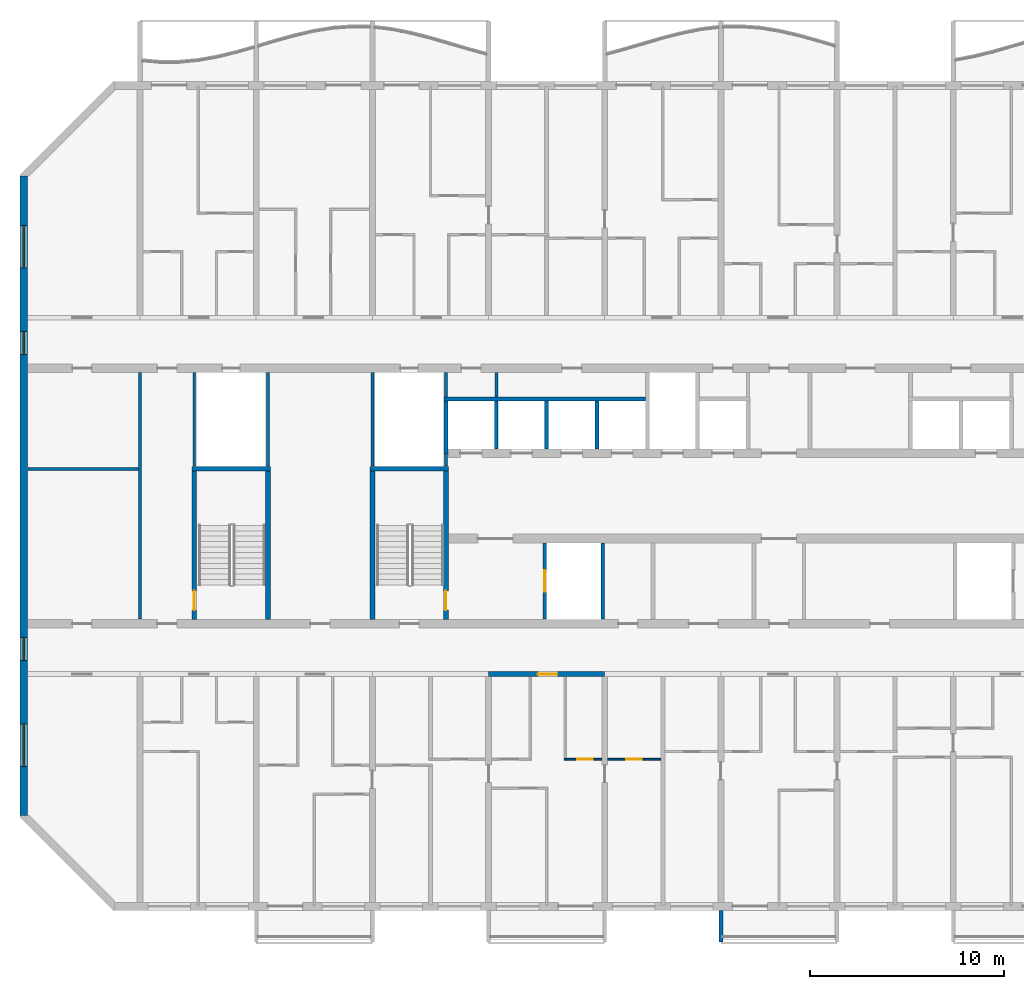
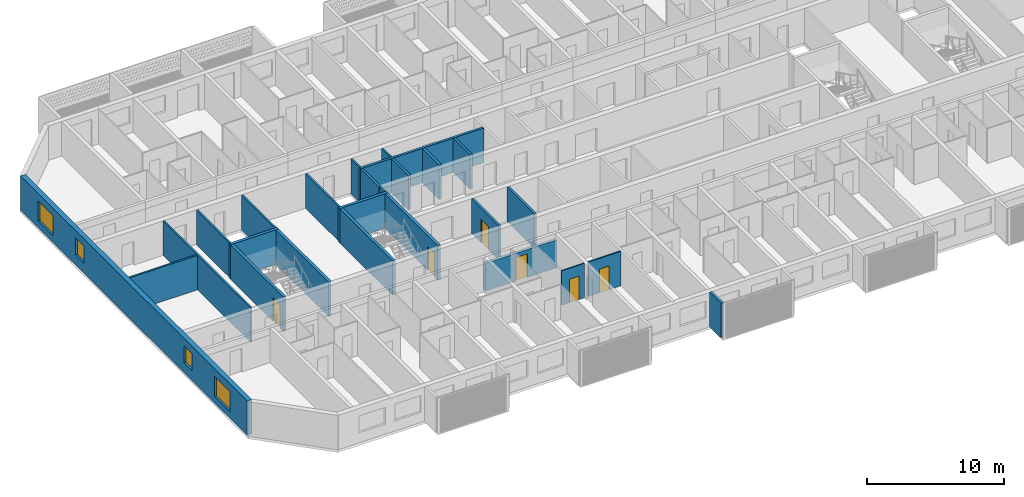
# One storey, part 3 of 32: 26 walls, 6 doors, 4 windows, 10 openings.
"""IFC4 building model written with IfcOpenShell, lengths in metres."""

import ifcopenshell
import ifcopenshell.guid

model = None  # the IFC model being written
_history = None  # IfcOwnerHistory: only IFC2X3 demands one
_inside = {}  # id of a spatial element -> (the spatial element, [elements in it])
_under = {}  # id of a project, library or spatial element -> (it, [spatial elements below it])
_declared = {}  # id of a project -> (the project, [libraries it declares])
_typed = {}  # id of a type object -> (the type object, [elements of that type])
_made_of = {}  # id of a material, layer set ... -> (it, [elements and type objects made of it])


def new_model(schema):
    """Start an empty IFC model of exactly this schema.

    Asked for "IFC4X3", IfcOpenShell would pick the latest addendum, in which some entities
    have other attributes; the version numbers below select the first issue.
    IFC2X3 requires an IfcOwnerHistory on every rooted entity: one is made here for all.
    """
    global model, _history
    if schema == "IFC4X3":
        model = ifcopenshell.file(schema_version=(4, 3, 0, 0))
    else:
        model = ifcopenshell.file(schema=schema)
    _inside.clear()
    _under.clear()
    _declared.clear()
    _typed.clear()
    _made_of.clear()
    _history = None
    if model.schema == "IFC2X3":
        org = make("IfcOrganization", Name="unknown")
        user = make(
            "IfcPersonAndOrganization",
            ThePerson=make("IfcPerson", FamilyName="unknown"),
            TheOrganization=org,
        )
        app = make(
            "IfcApplication",
            ApplicationDeveloper=org,
            Version="unknown",
            ApplicationFullName="unknown",
            ApplicationIdentifier="unknown",
        )
        _history = make(
            "IfcOwnerHistory",
            OwningUser=user,
            OwningApplication=app,
            ChangeAction="ADDED",
            CreationDate=0,
        )
    return model


def make(cls, **values):
    """One entity of the class cls with the attributes given. An attribute that is None is left unset."""
    return model.create_entity(
        cls, **{name: value for name, value in values.items() if value is not None}
    )


def rooted(cls, **values):
    """An entity with a GlobalId (a new one), such as an element, a storey or a relation."""
    return make(cls, GlobalId=ifcopenshell.guid.new(), OwnerHistory=_history, **values)


def si_unit(unit_type, name, prefix=None):
    """IfcSIUnit, for example si_unit("LENGTHUNIT", "METRE", prefix="MILLI")."""
    return make("IfcSIUnit", UnitType=unit_type, Prefix=prefix, Name=name)


def assignment(units):
    """IfcUnitAssignment: the units of a project."""
    return None if units is None else make("IfcUnitAssignment", Units=units)


def point(xyz):
    """IfcCartesianPoint."""
    return None if xyz is None else make("IfcCartesianPoint", Coordinates=xyz)


def direction(xyz):
    """IfcDirection."""
    return None if xyz is None else make("IfcDirection", DirectionRatios=xyz)


def frame(location, z_axis=None, x_axis=None):
    """IfcAxis2Placement3D, a coordinate frame: its origin and axes. An axis left out is left unset."""
    return make(
        "IfcAxis2Placement3D",
        Location=point(location),
        Axis=direction(z_axis),
        RefDirection=direction(x_axis),
    )


def frame_2d(location, x_axis=None):
    """IfcAxis2Placement2D, a coordinate frame in the plane: its origin and x axis."""
    return make(
        "IfcAxis2Placement2D", Location=point(location), RefDirection=direction(x_axis)
    )


def origin():
    """The frame at (0, 0, 0) with its axes left unset."""
    return frame((0.0, 0.0, 0.0))


def place(relative_to, where):
    """IfcLocalPlacement: puts the frame where relative to a parent placement (None: the world)."""
    return make(
        "IfcLocalPlacement", PlacementRelTo=relative_to, RelativePlacement=where
    )


def context(
    kind, dimensions, precision=None, world=None, true_north=None, identifier=None
):
    """IfcGeometricRepresentationContext, for example the 3D "Model" context."""
    return make(
        "IfcGeometricRepresentationContext",
        ContextIdentifier=identifier,
        ContextType=kind,
        CoordinateSpaceDimension=dimensions,
        Precision=precision,
        WorldCoordinateSystem=world,
        TrueNorth=true_north,
    )


def subcontext(parent, identifier, kind, view, scale=None):
    """IfcGeometricRepresentationSubContext, for example "Body" below "Model"."""
    return make(
        "IfcGeometricRepresentationSubContext",
        ContextIdentifier=identifier,
        ContextType=kind,
        ParentContext=parent,
        TargetScale=scale,
        TargetView=view,
    )


def project(units=None, contexts=None):
    """IfcProject with its units and contexts."""
    return rooted(
        "IfcProject",
        Name="project",
        RepresentationContexts=contexts,
        UnitsInContext=assignment(units),
    )


def spatial(cls, under=None, at=None, **own):
    """A site, building, storey or space (cls), placed at a placement, below another one or the project."""
    s = rooted(cls, ObjectPlacement=at, **own)
    if under is not None:
        _under.setdefault(under.id(), (under, []))[1].append(s)
    return s


def polyline(points):
    """IfcPolyline through the points."""
    return make("IfcPolyline", Points=[point(p) for p in points])


def profile(cls, at=None, kind="AREA", **sizes):
    """A parametric profile (cls). Its sizes go by their IFC names, for example OverallWidth=200.0."""
    return make(cls, ProfileType=kind, Position=at, **sizes)


def rectangle(**sizes):
    """IfcRectangleProfileDef."""
    return profile("IfcRectangleProfileDef", **sizes)


def outline(outer, holes=None, kind="AREA"):
    """IfcArbitraryClosedProfileDef: a profile drawn as a closed curve; with holes, ...WithVoids."""
    if holes is None:
        return make("IfcArbitraryClosedProfileDef", ProfileType=kind, OuterCurve=outer)
    return make(
        "IfcArbitraryProfileDefWithVoids",
        ProfileType=kind,
        OuterCurve=outer,
        InnerCurves=holes,
    )


def extrude(swept, where, along, depth):
    """IfcExtrudedAreaSolid: the profile swept, set in the frame where, extruded along a direction by depth."""
    return make(
        "IfcExtrudedAreaSolid",
        SweptArea=swept,
        Position=where,
        ExtrudedDirection=direction(along),
        Depth=depth,
    )


def shape(context_of_items, identifier, shape_type, items):
    """IfcShapeRepresentation: the items that make up one representation, for example the "Body"."""
    return make(
        "IfcShapeRepresentation",
        ContextOfItems=context_of_items,
        RepresentationIdentifier=identifier,
        RepresentationType=shape_type,
        Items=items,
    )


def source(mapping_origin, context_of_items, identifier, shape_type, items):
    """IfcRepresentationMap: a shape defined once, which mapped items show again and again."""
    return make(
        "IfcRepresentationMap",
        MappingOrigin=mapping_origin,
        MappedRepresentation=shape(context_of_items, identifier, shape_type, items),
    )


def transform(
    local_origin,
    x_axis=None,
    y_axis=None,
    z_axis=None,
    scale=None,
    scale2=None,
    scale3=None,
    uniform=True,
):
    """IfcCartesianTransformationOperator3D, or its non-uniform kind. x_axis, y_axis, z_axis: its Axis1, 2, 3."""
    if uniform:
        return make(
            "IfcCartesianTransformationOperator3D",
            Axis1=direction(x_axis),
            Axis2=direction(y_axis),
            LocalOrigin=point(local_origin),
            Scale=scale,
            Axis3=direction(z_axis),
        )
    return make(
        "IfcCartesianTransformationOperator3DnonUniform",
        Axis1=direction(x_axis),
        Axis2=direction(y_axis),
        LocalOrigin=point(local_origin),
        Scale=scale,
        Axis3=direction(z_axis),
        Scale2=scale2,
        Scale3=scale3,
    )


def mapped(mapping_source, mapping_target):
    """IfcMappedItem: shows the shape of a source again, moved by a transform."""
    return make(
        "IfcMappedItem", MappingSource=mapping_source, MappingTarget=mapping_target
    )


def material(Name=None, Category=None):
    """IfcMaterial."""
    return make("IfcMaterial", Name=Name, Category=Category)


def layer(
    of_material, thickness, ventilated=None, Name=None, Category=None, Priority=None
):
    """IfcMaterialLayer: one layer of a wall or slab, of a material (None: an air gap)."""
    return make(
        "IfcMaterialLayer",
        Material=of_material,
        LayerThickness=thickness,
        IsVentilated=ventilated,
        Name=Name,
        Category=Category,
        Priority=Priority,
    )


def layer_set(layers, Name=None):
    """IfcMaterialLayerSet."""
    return make("IfcMaterialLayerSet", MaterialLayers=layers, LayerSetName=Name)


def made_of(thing, what):
    """Note that an element or type object is made of a material, layer set ...; save() writes the relation."""
    if what is not None:
        _made_of.setdefault(what.id(), (what, []))[1].append(thing)
    return thing


def type_object(cls, material=None, **own):
    """A type object (cls), such as IfcWallType, which elements share."""
    return made_of(rooted(cls, **own), material)


def element(
    cls,
    number,
    at=None,
    inside=None,
    cuts=None,
    type_object=None,
    material=None,
    context=None,
    identifier="Body",
    shape_type=None,
    held_by="IfcProductDefinitionShape",
    body=None,
    shapes=None,
    **own,
):
    """One element of the class cls, such as IfcWall. Its Tag is "e" and its number.

    at: its placement. inside: the storey or other place that contains it. cuts: it is an
    opening in that element (IfcRelVoidsElement). A single representation is given by context,
    identifier, shape_type and body (its items); several are given by shapes. held_by: the class
    of the entity that holds the representations. save() writes the other relations.
    """
    e = rooted(cls, Tag="e%d" % number, ObjectPlacement=at, **own)
    if body is not None:
        shapes = [shape(context, identifier, shape_type, body)]
    if shapes is not None:
        e.Representation = make(held_by, Representations=shapes)
    if inside is not None:
        _inside.setdefault(inside.id(), (inside, []))[1].append(e)
    if cuts is not None:
        rooted(
            "IfcRelVoidsElement", RelatingBuildingElement=cuts, RelatedOpeningElement=e
        )
    if type_object is not None:
        _typed.setdefault(type_object.id(), (type_object, []))[1].append(e)
    return made_of(e, material)


def fill(opening, filler):
    """IfcRelFillsElement: the door or window that sits in an opening."""
    return rooted(
        "IfcRelFillsElement",
        RelatingOpeningElement=opening,
        RelatedBuildingElement=filler,
    )


def aggregate(whole, parts):
    """IfcRelAggregates: a whole, such as a stair, and the parts it consists of."""
    return rooted("IfcRelAggregates", RelatingObject=whole, RelatedObjects=parts)


def save(model, path):
    """Write the relations noted so far, then the file.

    IfcRelAggregates (storeys below a building ...), IfcRelContainedInSpatialStructure (elements
    in a storey), IfcRelDefinesByType, IfcRelAssociatesMaterial and IfcRelDeclares: one each for
    every whole, place, type object, material and project.
    """
    for whole, parts in _under.values():
        aggregate(whole, parts)
    for where, things in _inside.values():
        rooted(
            "IfcRelContainedInSpatialStructure",
            RelatedElements=things,
            RelatingStructure=where,
        )
    for kind, things in _typed.values():
        rooted("IfcRelDefinesByType", RelatedObjects=things, RelatingType=kind)
    for what, things in _made_of.values():
        rooted("IfcRelAssociatesMaterial", RelatedObjects=things, RelatingMaterial=what)
    for by, libraries in _declared.values():
        rooted("IfcRelDeclares", RelatingContext=by, RelatedDefinitions=libraries)
    model.write(path)


model = new_model("IFC4")

# Units and contexts
model_context = context("Model", 3, precision=1e-05, world=origin(), true_north=direction((0.0, 1.0)))
body_context = subcontext(model_context, "Body", "Model", "MODEL_VIEW")
ifc_project = project(units=[si_unit("LENGTHUNIT", "METRE"), si_unit("AREAUNIT", "SQUARE_METRE"), si_unit("VOLUMEUNIT", "CUBIC_METRE"), si_unit("PLANEANGLEUNIT", "RADIAN"), si_unit("MASSUNIT", "GRAM", prefix="KILO")], contexts=[model_context])

# Site, building, storey
site_placement = place(None, origin())
site = spatial("IfcSite", under=ifc_project, at=site_placement, CompositionType="ELEMENT")
building_placement = place(site_placement, origin())
building = spatial("IfcBuilding", under=site, at=building_placement, Name="Poui Terraces", CompositionType="ELEMENT")
storey_placement = place(building_placement, frame((0.0, 0.0, 152.10009765625)))
storey = spatial("IfcBuildingStorey", under=building, at=storey_placement, Name="L42", CompositionType="ELEMENT", Elevation=152.10009765625)

# Wall
ifc_material_1 = material(Name="Fire-rated plasterboard wall")
ifc_layer_1 = layer(ifc_material_1, 0.14990234375)
ifc_layer_set_1 = layer_set([ifc_layer_1], Name="Fire-rated plasterboard wall")
wall_type_1 = type_object("IfcWallType", Name="CORRIDOR WALL 150", PredefinedType="PARTITIONING", material=ifc_layer_set_1)
wall_1_placement = place(storey_placement, frame((18.0, 14.8349609375, 0.0), z_axis=(0.0, 0.0, 1.0), x_axis=(0.0, 1.0, 0.0)))
element("IfcWall", 1, at=wall_1_placement, inside=storey, type_object=wall_type_1, Name="CORRIDOR WALL 150", PredefinedType="PARTITIONING", context=body_context, shape_type="SweptSolid", body=[
    extrude(rectangle(XDim=12.72998046875, YDim=0.14990234375, at=frame_2d((6.364990234375, 0.0))), origin(), (0.0, 0.0, 1.0), 3.06982421875),
])

# Wall, opening, door
ifc_material_2 = material(Name="Concrete 65 MPa", Category="concrete")
ifc_layer_2 = layer(ifc_material_2, 0.25)
ifc_layer_set_2 = layer_set([ifc_layer_2], Name="Concrete 65 MPa")
wall_type_2 = type_object("IfcWallType", Name="CORRIDOR WALL 250 65MPa", PredefinedType="SHEAR", material=ifc_layer_set_2)
wall_2_placement = place(storey_placement, frame((36.0, 12.0, 0.0), z_axis=(0.0, 0.0, 1.0), x_axis=(1.0, 0.0, 0.0)))
wall_2 = element("IfcWall", 2, at=wall_2_placement, inside=storey, type_object=wall_type_2, Name="CORRIDOR WALL LINE B BAY 5", PredefinedType="SHEAR", context=body_context, shape_type="SweptSolid", body=[
    extrude(rectangle(XDim=6.0, YDim=0.25, at=frame_2d((3.0, 0.0))), origin(), (0.0, 0.0, 1.0), 2.469970703125),
])
opening_1_placement = place(wall_2_placement, frame((2.550048828125, 0.0, 0.0)))
opening_1 = element("IfcOpeningElement", 3, at=opening_1_placement, cuts=wall_2, Name="Opening FD30S", PredefinedType="OPENING", context=body_context, shape_type="SweptSolid", body=[
    extrude(rectangle(XDim=1.0, YDim=2.10009765625, at=frame_2d((0.5, 1.050048828125))), frame((0.0, 0.135009765625, 0.0), z_axis=(0.0, -1.0, 0.0), x_axis=(1.0, 0.0, 0.0)), (0.0, 0.0, 1.0), 0.27001953125),
])
ifc_material_3 = material(Name="Steel fire door", Category="steel")
door_type_1 = type_object("IfcDoorType", Name="FLAT ENTRANCE DOOR 1000 X 2100", OperationType="NOTDEFINED", PredefinedType="DOOR", material=ifc_material_3)
door_1_placement = place(opening_1_placement, frame((1.0, 0.0, 0.0), z_axis=(0.0, 0.0, 1.0), x_axis=(-1.0, 0.0, 0.0)))
door_1 = element("IfcDoor", 4, at=door_1_placement, inside=storey, type_object=door_type_1, Name="FLAT ENTRANCE DOOR 090", OperationType="SINGLE_SWING_LEFT", OverallHeight=2.10009765625, OverallWidth=1.0, PredefinedType="DOOR", context=body_context, shape_type="SweptSolid", body=[
    extrude(rectangle(XDim=1.0, YDim=2.10009765625, at=frame_2d((0.5, 1.050048828125))), frame((0.0, 0.02490234375, 0.0), z_axis=(0.0, -1.0, 0.0), x_axis=(1.0, 0.0, 0.0)), (0.0, 0.0, 1.0), 0.050048828125),
])
fill(opening_1, door_1)

# Wall, openings, windows
ifc_layer_3 = layer(ifc_material_2, 0.39990234375)
ifc_layer_set_3 = layer_set([ifc_layer_3], Name="Concrete 65 MPa")
wall_type_3 = type_object("IfcWallType", Name="END WALL 400 65MPa", PredefinedType="SHEAR", material=ifc_layer_set_3)
wall_3_placement = place(storey_placement, frame((12.0, 4.682861328125, 0.0), z_axis=(0.0, 0.0, 1.0), x_axis=(0.0, 1.0, 0.0)))
wall_3 = element("IfcWall", 5, at=wall_3_placement, inside=storey, type_object=wall_type_3, Name="END WALL WEST", PredefinedType="SHEAR", context=body_context, shape_type="SweptSolid", body=[
    extrude(rectangle(XDim=33.034423828125, YDim=0.39990234375, at=frame_2d((16.51708984375, 0.0))), origin(), (0.0, 0.0, 1.0), 3.06982421875),
])
opening_2_placement = place(wall_3_placement, frame((23.817138671875, 0.0, 0.89990234375)))
opening_2 = element("IfcOpeningElement", 6, at=opening_2_placement, cuts=wall_3, Name="Opening W2", PredefinedType="OPENING", context=body_context, shape_type="SweptSolid", body=[
    extrude(rectangle(XDim=1.199951171875, YDim=1.5, at=frame_2d((0.60009765625, 0.75))), frame((0.0, 0.2099609375, 0.0), z_axis=(0.0, -1.0, 0.0), x_axis=(1.0, 0.0, 0.0)), (0.0, 0.0, 1.0), 0.419921875),
])
opening_3_placement = place(wall_3_placement, frame((8.01708984375, 0.0, 0.89990234375)))
opening_3 = element("IfcOpeningElement", 7, at=opening_3_placement, cuts=wall_3, Name="Opening W2", PredefinedType="OPENING", context=body_context, shape_type="SweptSolid", body=[
    extrude(rectangle(XDim=1.199951171875, YDim=1.5, at=frame_2d((0.60009765625, 0.75))), frame((0.0, 0.2099609375, 0.0), z_axis=(0.0, -1.0, 0.0), x_axis=(1.0, 0.0, 0.0)), (0.0, 0.0, 1.0), 0.419921875),
])
opening_4_placement = place(wall_3_placement, frame((28.29345703125, 0.0, 0.60009765625)))
opening_4 = element("IfcOpeningElement", 8, at=opening_4_placement, cuts=wall_3, Name="Opening W3", PredefinedType="OPENING", context=body_context, shape_type="SweptSolid", body=[
    extrude(rectangle(XDim=2.199951171875, YDim=1.800048828125, at=frame_2d((1.10009765625, 0.89990234375))), frame((0.0, 0.2099609375, 0.0), z_axis=(0.0, -1.0, 0.0), x_axis=(1.0, 0.0, 0.0)), (0.0, 0.0, 1.0), 0.419921875),
])
opening_5_placement = place(wall_3_placement, frame((2.541015625, 0.0, 0.60009765625)))
opening_5 = element("IfcOpeningElement", 9, at=opening_5_placement, cuts=wall_3, Name="Opening W3", PredefinedType="OPENING", context=body_context, shape_type="SweptSolid", body=[
    extrude(rectangle(XDim=2.199951171875, YDim=1.800048828125, at=frame_2d((1.10009765625, 0.89990234375))), frame((0.0, 0.2099609375, 0.0), z_axis=(0.0, -1.0, 0.0), x_axis=(1.0, 0.0, 0.0)), (0.0, 0.0, 1.0), 0.419921875),
])
ifc_material_4 = material(Name="Clear glass in aluminium frame", Category="aluminium")
window_type_1 = type_object("IfcWindowType", Name="WINDOW 1200X1500", PartitioningType="SINGLE_PANEL", PredefinedType="WINDOW", material=ifc_material_4)
window_1_placement = place(opening_2_placement, origin())
window_1 = element("IfcWindow", 10, at=window_1_placement, inside=storey, type_object=window_type_1, Name="W2 WINDOW", OverallHeight=1.5, OverallWidth=1.199951171875, PartitioningType="SINGLE_PANEL", PredefinedType="WINDOW", context=body_context, shape_type="SweptSolid", body=[
    extrude(rectangle(XDim=1.199951171875, YDim=1.5, at=frame_2d((0.60009765625, 0.75))), frame((0.0, 0.030029296875, 0.0), z_axis=(0.0, -1.0, 0.0), x_axis=(1.0, 0.0, 0.0)), (0.0, 0.0, 1.0), 0.06005859375),
])
fill(opening_2, window_1)
window_2_placement = place(opening_3_placement, origin())
window_2 = element("IfcWindow", 11, at=window_2_placement, inside=storey, type_object=window_type_1, Name="W2 WINDOW", OverallHeight=1.5, OverallWidth=1.199951171875, PartitioningType="SINGLE_PANEL", PredefinedType="WINDOW", context=body_context, shape_type="SweptSolid", body=[
    extrude(rectangle(XDim=1.199951171875, YDim=1.5, at=frame_2d((0.60009765625, 0.75))), frame((0.0, 0.030029296875, 0.0), z_axis=(0.0, -1.0, 0.0), x_axis=(1.0, 0.0, 0.0)), (0.0, 0.0, 1.0), 0.06005859375),
])
fill(opening_3, window_2)
window_type_2 = type_object("IfcWindowType", Name="WINDOW 2200X1800", PartitioningType="DOUBLE_PANEL_HORIZONTAL", PredefinedType="WINDOW", material=ifc_material_4)
window_3_placement = place(opening_4_placement, origin())
window_3 = element("IfcWindow", 12, at=window_3_placement, inside=storey, type_object=window_type_2, Name="W3 WINDOW", OverallHeight=1.800048828125, OverallWidth=2.199951171875, PartitioningType="DOUBLE_PANEL_HORIZONTAL", PredefinedType="WINDOW", context=body_context, shape_type="SweptSolid", body=[
    extrude(rectangle(XDim=2.199951171875, YDim=1.800048828125, at=frame_2d((1.10009765625, 0.89990234375))), frame((0.0, 0.030029296875, 0.0), z_axis=(0.0, -1.0, 0.0), x_axis=(1.0, 0.0, 0.0)), (0.0, 0.0, 1.0), 0.06005859375),
])
fill(opening_4, window_3)
window_4_placement = place(opening_5_placement, origin())
window_4 = element("IfcWindow", 13, at=window_4_placement, inside=storey, type_object=window_type_2, Name="W3 WINDOW", OverallHeight=1.800048828125, OverallWidth=2.199951171875, PartitioningType="DOUBLE_PANEL_HORIZONTAL", PredefinedType="WINDOW", context=body_context, shape_type="SweptSolid", body=[
    extrude(rectangle(XDim=2.199951171875, YDim=1.800048828125, at=frame_2d((1.10009765625, 0.89990234375))), frame((0.0, 0.030029296875, 0.0), z_axis=(0.0, -1.0, 0.0), x_axis=(1.0, 0.0, 0.0)), (0.0, 0.0, 1.0), 0.06005859375),
])
fill(opening_5, window_4)

# Wall, opening, door
ifc_material_5 = material(Name="Plasterboard partition")
ifc_layer_4 = layer(ifc_material_5, 0.10009765625)
ifc_layer_set_4 = layer_set([ifc_layer_4], Name="Plasterboard partition")
wall_type_4 = type_object("IfcWallType", Name="FLAT PARTITION 100", PredefinedType="PARTITIONING", material=ifc_layer_set_4)
wall_4_placement = place(storey_placement, frame((39.89990234375, 7.60009765625, 0.0), z_axis=(0.0, 0.0, 1.0), x_axis=(1.0, 0.0, 0.0)))
wall_4 = element("IfcWall", 14, at=wall_4_placement, inside=storey, type_object=wall_type_4, Name="FLAT PARTITION 100", PredefinedType="PARTITIONING", context=body_context, shape_type="SweptSolid", body=[
    extrude(rectangle(XDim=1.940185546875, YDim=0.10009765625, at=frame_2d((0.97021484375, 0.0))), origin(), (0.0, 0.0, 1.0), 3.06982421875),
])
opening_6_placement = place(wall_4_placement, frame((0.675048828125, 0.0, 0.0)))
opening_6 = element("IfcOpeningElement", 15, at=opening_6_placement, cuts=wall_4, Name="Opening D80", PredefinedType="OPENING", context=body_context, shape_type="SweptSolid", body=[
    extrude(rectangle(XDim=0.800048828125, YDim=2.10009765625, at=frame_2d((0.39990234375, 1.050048828125))), frame((0.0, 0.06005859375, 0.0), z_axis=(0.0, -1.0, 0.0), x_axis=(1.0, 0.0, 0.0)), (0.0, 0.0, 1.0), 0.1201171875),
])
ifc_material_6 = material(Name="Solid core timber door", Category="wood")
door_type_2 = type_object("IfcDoorType", Name="BATHROOM, LAUNDRY AND STORE DOOR 800 X 2100", OperationType="NOTDEFINED", PredefinedType="DOOR", material=ifc_material_6)
door_2_placement = place(opening_6_placement, origin())
door_2 = element("IfcDoor", 16, at=door_2_placement, inside=storey, type_object=door_type_2, Name="BATHROOM, LAUNDRY AND STORE DOOR 091", OperationType="SINGLE_SWING_LEFT", OverallHeight=2.10009765625, OverallWidth=0.800048828125, PredefinedType="DOOR", context=body_context, shape_type="SweptSolid", body=[
    extrude(rectangle(XDim=0.800048828125, YDim=2.10009765625, at=frame_2d((0.39990234375, 1.050048828125))), frame((0.0, 0.02490234375, 0.0), z_axis=(0.0, -1.0, 0.0), x_axis=(1.0, 0.0, 0.0)), (0.0, 0.0, 1.0), 0.050048828125),
])
fill(opening_6, door_2)

wall_5_placement = place(storey_placement, frame((42.159912109375, 7.60009765625, 0.0), z_axis=(0.0, 0.0, 1.0), x_axis=(1.0, 0.0, 0.0)))
wall_5 = element("IfcWall", 17, at=wall_5_placement, inside=storey, type_object=wall_type_4, Name="FLAT PARTITION 100", PredefinedType="PARTITIONING", context=body_context, shape_type="SweptSolid", body=[
    extrude(rectangle(XDim=2.739990234375, YDim=0.10009765625, at=frame_2d((1.3701171875, 0.0))), origin(), (0.0, 0.0, 1.0), 3.06982421875),
])
opening_7_placement = place(wall_5_placement, frame((0.93994140625, 0.0, 0.0)))
opening_7 = element("IfcOpeningElement", 18, at=opening_7_placement, cuts=wall_5, Name="Opening D80", PredefinedType="OPENING", context=body_context, shape_type="SweptSolid", body=[
    extrude(rectangle(XDim=0.800048828125, YDim=2.10009765625, at=frame_2d((0.39990234375, 1.050048828125))), frame((0.0, 0.06005859375, 0.0), z_axis=(0.0, -1.0, 0.0), x_axis=(1.0, 0.0, 0.0)), (0.0, 0.0, 1.0), 0.1201171875),
])
door_3_placement = place(opening_7_placement, origin())
door_3 = element("IfcDoor", 19, at=door_3_placement, inside=storey, type_object=door_type_2, Name="BATHROOM, LAUNDRY AND STORE DOOR 086", OperationType="SINGLE_SWING_RIGHT", OverallHeight=2.10009765625, OverallWidth=0.800048828125, PredefinedType="DOOR", context=body_context, shape_type="SweptSolid", body=[
    extrude(rectangle(XDim=0.800048828125, YDim=2.10009765625, at=frame_2d((0.39990234375, 1.050048828125))), frame((0.0, 0.02490234375, 0.0), z_axis=(0.0, -1.0, 0.0), x_axis=(1.0, 0.0, 0.0)), (0.0, 0.0, 1.0), 0.050048828125),
])
fill(opening_7, door_3)

# Walls
ifc_layer_5 = layer(ifc_material_5, 0.14990234375)
ifc_layer_set_5 = layer_set([ifc_layer_5], Name="Plasterboard partition")
wall_type_5 = type_object("IfcWallType", Name="PARTITION WALL 150", PredefinedType="PARTITIONING", material=ifc_layer_set_5)
wall_6_placement = place(storey_placement, frame((12.2099609375, 22.60009765625, 0.0), z_axis=(0.0, 0.0, 1.0), x_axis=(1.0, 0.0, 0.0)))
element("IfcWall", 20, at=wall_6_placement, inside=storey, type_object=wall_type_5, Name="PARTITION WALL 150", PredefinedType="PARTITIONING", context=body_context, shape_type="SweptSolid", body=[
    extrude(rectangle(XDim=5.715087890625, YDim=0.14990234375, at=frame_2d((2.857421875, 0.0))), origin(), (0.0, 0.0, 1.0), 3.06982421875),
])
wall_7_placement = place(storey_placement, frame((36.39990234375, 26.300048828125, 0.0), z_axis=(0.0, 0.0, 1.0), x_axis=(0.0, 1.0, 0.0)))
element("IfcWall", 21, at=wall_7_placement, inside=storey, type_object=wall_type_5, Name="PARTITION WALL 150", PredefinedType="PARTITIONING", context=body_context, shape_type="SweptSolid", body=[
    extrude(rectangle(XDim=1.264892578125, YDim=0.14990234375, at=frame_2d((0.63232421875, 0.0))), origin(), (0.0, 0.0, 1.0), 3.06982421875),
])
ifc_material_7 = material(Name="Fire-rated plasterboard riser wall")
ifc_layer_6 = layer(ifc_material_7, 0.14990234375)
ifc_layer_set_6 = layer_set([ifc_layer_6], Name="Fire-rated plasterboard riser wall")
wall_type_6 = type_object("IfcWallType", Name="RISER WALL 150", PredefinedType="PARTITIONING", material=ifc_layer_set_6)
for number, where, z_axis, x_axis, name in (
    (22, (20.800048828125, 22.735107421875, 0.0), (0.0, 0.0, 1.0), (0.0, 1.0, 0.0), "RISER WALL 150"),
    (23, (24.60009765625, 22.735107421875, 0.0), (0.0, 0.0, 1.0), (0.0, 1.0, 0.0), "RISER WALL 150"),
    (24, (30.0, 22.735107421875, 0.0), (0.0, 0.0, 1.0), (0.0, 1.0, 0.0), "RISER WALL 150"),
):
    element("IfcWall", number, at=place(storey_placement, frame(where, z_axis=z_axis, x_axis=x_axis)), inside=storey, type_object=wall_type_6, Name=name, PredefinedType="PARTITIONING", context=body_context, shape_type="SweptSolid", body=[
        extrude(rectangle(XDim=4.829833984375, YDim=0.14990234375, at=frame_2d((2.4150390625, 0.0))), origin(), (0.0, 0.0, 1.0), 3.06982421875),
    ])
wall_8_placement = place(storey_placement, frame((33.800048828125, 22.735107421875, 0.0), z_axis=(0.0, 0.0, 1.0), x_axis=(0.0, 1.0, 0.0)))
element("IfcWall", 25, at=wall_8_placement, inside=storey, type_object=wall_type_6, Name="RISER WALL 150", PredefinedType="PARTITIONING", context=body_context, shape_type="SweptSolid", body=[
    extrude(rectangle(XDim=0.664794921875, YDim=0.14990234375, at=frame_2d((0.33251953125, 0.0))), origin(), (0.0, 0.0, 1.0), 3.06982421875),
])
wall_9_placement = place(storey_placement, frame((33.800048828125, 26.300048828125, 0.0), z_axis=(0.0, 0.0, 1.0), x_axis=(0.0, 1.0, 0.0)))
element("IfcWall", 26, at=wall_9_placement, inside=storey, type_object=wall_type_6, Name="RISER WALL 150", PredefinedType="PARTITIONING", context=body_context, shape_type="SweptSolid", body=[
    extrude(rectangle(XDim=1.264892578125, YDim=0.14990234375, at=frame_2d((0.63232421875, 0.0))), origin(), (0.0, 0.0, 1.0), 3.06982421875),
])
ifc_material_8 = material(Name="Fire-rated masonry shaft wall", Category="masonry")
ifc_layer_7 = layer(ifc_material_8, 0.199951171875)
ifc_layer_set_7 = layer_set([ifc_layer_7], Name="Fire-rated masonry shaft wall")
wall_type_7 = type_object("IfcWallType", Name="SHAFT WALL 200", PredefinedType="PARTITIONING", material=ifc_layer_set_7)
wall_10_placement = place(storey_placement, frame((33.699951171875, 26.199951171875, 0.0), z_axis=(0.0, 0.0, 1.0), x_axis=(1.0, 0.0, 0.0)))
element("IfcWall", 27, at=wall_10_placement, inside=storey, type_object=wall_type_7, Name="SHAFT WALL 200", PredefinedType="PARTITIONING", context=body_context, shape_type="SweptSolid", body=[
    extrude(rectangle(XDim=10.400146484375, YDim=0.199951171875, at=frame_2d((5.2001953125, 0.0))), origin(), (0.0, 0.0, 1.0), 3.06982421875),
])
wall_11_placement = place(storey_placement, frame((33.800048828125, 23.39990234375, 0.0), z_axis=(0.0, 0.0, 1.0), x_axis=(0.0, 1.0, 0.0)))
element("IfcWall", 28, at=wall_11_placement, inside=storey, type_object=wall_type_7, Name="SHAFT WALL 200", PredefinedType="PARTITIONING", context=body_context, shape_type="SweptSolid", body=[
    extrude(rectangle(XDim=2.7001953125, YDim=0.199951171875, at=frame_2d((1.35009765625, 0.0))), origin(), (0.0, 0.0, 1.0), 3.06982421875),
])
wall_12_placement = place(storey_placement, frame((36.39990234375, 23.635009765625, 0.0), z_axis=(0.0, 0.0, 1.0), x_axis=(0.0, 1.0, 0.0)))
element("IfcWall", 29, at=wall_12_placement, inside=storey, type_object=wall_type_7, Name="SHAFT WALL 200", PredefinedType="PARTITIONING", context=body_context, shape_type="SweptSolid", body=[
    extrude(rectangle(XDim=2.465087890625, YDim=0.199951171875, at=frame_2d((1.232421875, 0.0))), origin(), (0.0, 0.0, 1.0), 3.06982421875),
])

# Wall, opening, door
wall_13_placement = place(storey_placement, frame((38.89990234375, 14.8349609375, 0.0), z_axis=(0.0, 0.0, 1.0), x_axis=(0.0, 1.0, 0.0)))
wall_13 = element("IfcWall", 30, at=wall_13_placement, inside=storey, type_object=wall_type_7, Name="SHAFT WALL 200", PredefinedType="PARTITIONING", context=body_context, shape_type="SweptSolid", body=[
    extrude(rectangle(XDim=3.929931640625, YDim=0.199951171875, at=frame_2d((1.96484375, 0.0))), origin(), (0.0, 0.0, 1.0), 3.06982421875),
])
opening_8_placement = place(wall_13_placement, frame((1.4150390625, 0.0, 0.0)))
opening_8 = element("IfcOpeningElement", 31, at=opening_8_placement, cuts=wall_13, Name="Opening LD", PredefinedType="OPENING", context=body_context, shape_type="SweptSolid", body=[
    extrude(rectangle(XDim=1.10009765625, YDim=2.10009765625, at=frame_2d((0.550048828125, 1.050048828125))), frame((0.0, 0.10986328125, 0.0), z_axis=(0.0, -1.0, 0.0), x_axis=(1.0, 0.0, 0.0)), (0.0, 0.0, 1.0), 0.219970703125),
])
ifc_material_9 = material(Name="Stainless steel sliding door", Category="steel")
door_type_3 = type_object("IfcDoorType", Name="LIFT LANDING DOOR 1100 X 2100", OperationType="DOUBLE_DOOR_SLIDING", PredefinedType="DOOR", material=ifc_material_9)
door_4_placement = place(opening_8_placement, origin())
door_4 = element("IfcDoor", 32, at=door_4_placement, inside=storey, type_object=door_type_3, Name="LANDING DOOR", OperationType="DOUBLE_DOOR_SLIDING", OverallHeight=2.10009765625, OverallWidth=1.10009765625, PredefinedType="DOOR", context=body_context, shape_type="SweptSolid", body=[
    extrude(rectangle(XDim=1.10009765625, YDim=2.10009765625, at=frame_2d((0.550048828125, 1.050048828125))), frame((0.0, 0.02490234375, 0.0), z_axis=(0.0, -1.0, 0.0), x_axis=(1.0, 0.0, 0.0)), (0.0, 0.0, 1.0), 0.050048828125),
])
fill(opening_8, door_4)

# Walls
for number, where, z_axis, x_axis, name in (
    (33, (39.0, 23.635009765625, 0.0), (0.0, 0.0, 1.0), (0.0, 1.0, 0.0), "SHAFT WALL 200"),
    (34, (41.60009765625, 23.635009765625, 0.0), (0.0, 0.0, 1.0), (0.0, 1.0, 0.0), "SHAFT WALL 200"),
):
    element("IfcWall", number, at=place(storey_placement, frame(where, z_axis=z_axis, x_axis=x_axis)), inside=storey, type_object=wall_type_7, Name=name, PredefinedType="PARTITIONING", context=body_context, shape_type="SweptSolid", body=[
        extrude(rectangle(XDim=2.465087890625, YDim=0.199951171875, at=frame_2d((1.232421875, 0.0))), origin(), (0.0, 0.0, 1.0), 3.06982421875),
    ])
wall_14_placement = place(storey_placement, frame((41.89990234375, 14.8349609375, 0.0), z_axis=(0.0, 0.0, 1.0), x_axis=(0.0, 1.0, 0.0)))
element("IfcWall", 35, at=wall_14_placement, inside=storey, type_object=wall_type_7, Name="SHAFT WALL 200", PredefinedType="PARTITIONING", context=body_context, shape_type="SweptSolid", body=[
    extrude(rectangle(XDim=3.929931640625, YDim=0.199951171875, at=frame_2d((1.96484375, 0.0))), origin(), (0.0, 0.0, 1.0), 3.06982421875),
])
ifc_layer_8 = layer(ifc_material_2, 0.25)
ifc_layer_set_8 = layer_set([ifc_layer_8], Name="Concrete 65 MPa")
wall_type_8 = type_object("IfcWallType", Name="STAIR CORE WALL 250 65 MPA", PredefinedType="SOLIDWALL", material=ifc_layer_set_8)
wall_15_placement = place(storey_placement, frame((30.0, 14.824951171875, 0.0), z_axis=(0.0, 0.0, 1.0), x_axis=(0.0, 1.0, 0.0)))
element("IfcWall", 36, at=wall_15_placement, inside=storey, type_object=wall_type_8, Name="STAIR CORE WALL", PredefinedType="SOLIDWALL", context=body_context, shape_type="SweptSolid", body=[
    extrude(rectangle(XDim=7.650146484375, YDim=0.25, at=frame_2d((3.8251953125, 0.0))), origin(), (0.0, 0.0, 1.0), 3.06982421875),
])

# Wall, opening, door
wall_16_placement = place(storey_placement, frame((33.800048828125, 14.824951171875, 0.0), z_axis=(0.0, 0.0, 1.0), x_axis=(0.0, 1.0, 0.0)))
wall_16 = element("IfcWall", 37, at=wall_16_placement, inside=storey, type_object=wall_type_8, Name="STAIR CORE WALL", PredefinedType="SOLIDWALL", context=body_context, shape_type="SweptSolid", body=[
    extrude(rectangle(XDim=7.650146484375, YDim=0.25, at=frame_2d((3.8251953125, 0.0))), origin(), (0.0, 0.0, 1.0), 3.06982421875),
])
opening_9_placement = place(wall_16_placement, frame((0.47509765625, 0.0, 0.0)))
opening_9 = element("IfcOpeningElement", 38, at=opening_9_placement, cuts=wall_16, Name="Opening FD60S", PredefinedType="OPENING", context=body_context, shape_type="SweptSolid", body=[
    extrude(rectangle(XDim=1.0, YDim=2.10009765625, at=frame_2d((0.5, 1.050048828125))), frame((0.0, 0.135009765625, 0.0), z_axis=(0.0, -1.0, 0.0), x_axis=(1.0, 0.0, 0.0)), (0.0, 0.0, 1.0), 0.27001953125),
])
door_type_4 = type_object("IfcDoorType", Name="STAIR DOOR 1000 X 2100", OperationType="NOTDEFINED", PredefinedType="DOOR", material=ifc_material_3)
door_5_placement = place(opening_9_placement, origin())
door_5 = element("IfcDoor", 39, at=door_5_placement, inside=storey, type_object=door_type_4, Name="STAIR DOOR 121", OperationType="SINGLE_SWING_LEFT", OverallHeight=2.10009765625, OverallWidth=1.0, PredefinedType="DOOR", context=body_context, shape_type="SweptSolid", body=[
    extrude(rectangle(XDim=1.0, YDim=2.10009765625, at=frame_2d((0.5, 1.050048828125))), frame((0.0, 0.02490234375, 0.0), z_axis=(0.0, -1.0, 0.0), x_axis=(1.0, 0.0, 0.0)), (0.0, 0.0, 1.0), 0.050048828125),
])
fill(opening_9, door_5)

# Wall
wall_17_placement = place(storey_placement, frame((29.875, 22.60009765625, 0.0), z_axis=(0.0, 0.0, 1.0), x_axis=(1.0, 0.0, 0.0)))
element("IfcWall", 40, at=wall_17_placement, inside=storey, type_object=wall_type_8, Name="STAIR CORE WALL", PredefinedType="SOLIDWALL", context=body_context, shape_type="SweptSolid", body=[
    extrude(rectangle(XDim=4.050048828125, YDim=0.25, at=frame_2d((2.02490234375, 0.0))), origin(), (0.0, 0.0, 1.0), 3.06982421875),
])

# Wall, opening, door
wall_18_placement = place(storey_placement, frame((20.800048828125, 14.824951171875, 0.0), z_axis=(0.0, 0.0, 1.0), x_axis=(0.0, 1.0, 0.0)))
wall_18 = element("IfcWall", 41, at=wall_18_placement, inside=storey, type_object=wall_type_8, Name="STAIR CORE WALL", PredefinedType="SOLIDWALL", context=body_context, shape_type="SweptSolid", body=[
    extrude(rectangle(XDim=7.650146484375, YDim=0.25, at=frame_2d((3.8251953125, 0.0))), origin(), (0.0, 0.0, 1.0), 3.06982421875),
])
opening_10_placement = place(wall_18_placement, frame((0.47509765625, 0.0, 0.0)))
opening_10 = element("IfcOpeningElement", 42, at=opening_10_placement, cuts=wall_18, Name="Opening FD60S", PredefinedType="OPENING", context=body_context, shape_type="SweptSolid", body=[
    extrude(rectangle(XDim=1.0, YDim=2.10009765625, at=frame_2d((0.5, 1.050048828125))), frame((0.0, 0.135009765625, 0.0), z_axis=(0.0, -1.0, 0.0), x_axis=(1.0, 0.0, 0.0)), (0.0, 0.0, 1.0), 0.27001953125),
])
door_6_placement = place(opening_10_placement, frame((1.0, 0.0, 0.0), z_axis=(0.0, 0.0, 1.0), x_axis=(-1.0, 0.0, 0.0)))
door_6 = element("IfcDoor", 43, at=door_6_placement, inside=storey, type_object=door_type_4, Name="STAIR DOOR 135", OperationType="SINGLE_SWING_RIGHT", OverallHeight=2.10009765625, OverallWidth=1.0, PredefinedType="DOOR", context=body_context, shape_type="SweptSolid", body=[
    extrude(rectangle(XDim=1.0, YDim=2.10009765625, at=frame_2d((0.5, 1.050048828125))), frame((0.0, 0.02490234375, 0.0), z_axis=(0.0, -1.0, 0.0), x_axis=(1.0, 0.0, 0.0)), (0.0, 0.0, 1.0), 0.050048828125),
])
fill(opening_10, door_6)

# Walls
wall_19_placement = place(storey_placement, frame((24.60009765625, 14.824951171875, 0.0), z_axis=(0.0, 0.0, 1.0), x_axis=(0.0, 1.0, 0.0)))
element("IfcWall", 44, at=wall_19_placement, inside=storey, type_object=wall_type_8, Name="STAIR CORE WALL", PredefinedType="SOLIDWALL", context=body_context, shape_type="SweptSolid", body=[
    extrude(rectangle(XDim=7.650146484375, YDim=0.25, at=frame_2d((3.8251953125, 0.0))), origin(), (0.0, 0.0, 1.0), 3.06982421875),
])
wall_20_placement = place(storey_placement, frame((20.675048828125, 22.60009765625, 0.0), z_axis=(0.0, 0.0, 1.0), x_axis=(1.0, 0.0, 0.0)))
element("IfcWall", 45, at=wall_20_placement, inside=storey, type_object=wall_type_8, Name="STAIR CORE WALL", PredefinedType="SOLIDWALL", context=body_context, shape_type="SweptSolid", body=[
    extrude(rectangle(XDim=4.050048828125, YDim=0.25, at=frame_2d((2.02490234375, 0.0))), origin(), (0.0, 0.0, 1.0), 3.06982421875),
])
ifc_material_10 = material(Name="Precast concrete 40 MPa", Category="concrete")
ifc_layer_9 = layer(ifc_material_10, 0.199951171875)
ifc_layer_set_9 = layer_set([ifc_layer_9], Name="Precast concrete 40 MPa")
wall_type_9 = type_object("IfcWallType", Name="REAR FIN 200", PredefinedType="STANDARD", material=ifc_layer_set_9)
shared_shape = source(origin(), body_context, "Body", "SweptSolid", [
    extrude(outline(polyline([(0.0, 0.0), (0.2001953125, 0.0), (0.2001953125, 1.650146484375), (0.0, 1.650146484375), (0.0, 0.0)])), origin(), (0.0, 0.0, 1.0), 3.099853515625),
])
wall_21_placement = place(storey_placement, frame((47.89990234375, -1.85009765625, 0.0)))
element("IfcWall", 46, at=wall_21_placement, inside=storey, type_object=wall_type_9, Name="REAR FIN", PredefinedType="STANDARD", context=body_context, shape_type="MappedRepresentation", body=[
    mapped(shared_shape, transform((0.0, 0.0, 0.0))),
])

save(model, "model.ifc")
